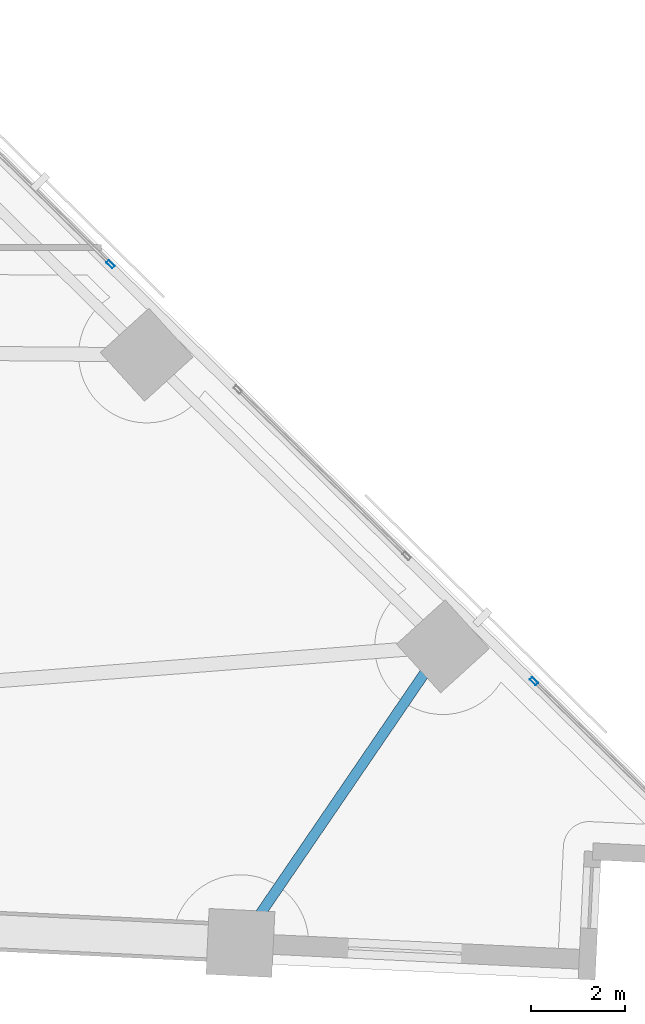
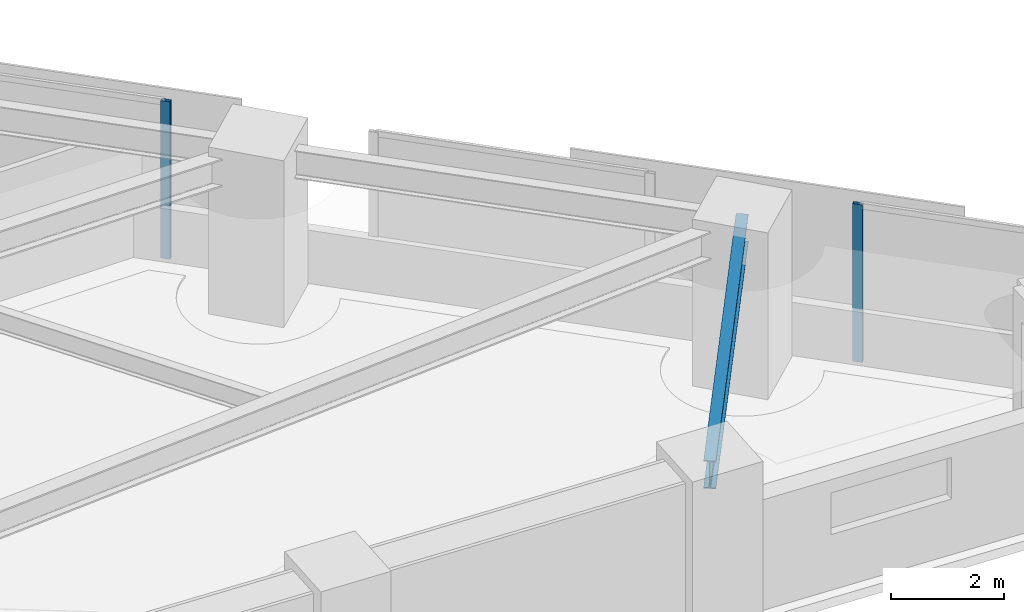
# One storey, part 4 of 17: 2 members, 1 beam, 2 elements without a shape of their own.
"""IFC4 building model written with IfcOpenShell, lengths in metres."""

from ifc_helpers import new_model, si_unit, direction, frame, origin, origin_2d, place, context, subcontext, project, spatial, hollow_rectangle, i_section, extrude, material, material_profile, profile_set, type_object, element, aggregate, save


model = new_model("IFC4")

# Units and contexts
model_context = context("Model", 3, precision=1e-05, world=origin(), true_north=direction((0.0, 1.0)))
body_context = subcontext(model_context, "Body", "Model", "MODEL_VIEW")
ifc_project = project(units=[si_unit("LENGTHUNIT", "METRE"), si_unit("AREAUNIT", "SQUARE_METRE"), si_unit("VOLUMEUNIT", "CUBIC_METRE"), si_unit("PLANEANGLEUNIT", "RADIAN"), si_unit("MASSUNIT", "GRAM", prefix="KILO")], contexts=[model_context])

# Site, building, storey
site_placement = place(None, origin())
site = spatial("IfcSite", under=ifc_project, at=site_placement, CompositionType="ELEMENT")
building_placement = place(site_placement, origin())
building = spatial("IfcBuilding", under=site, at=building_placement, Name="Narakoshi Arena Tower", CompositionType="ELEMENT")
storey_placement = place(building_placement, frame((0.0, 0.0, 41.10009765625)))
storey = spatial("IfcBuildingStorey", under=building, at=storey_placement, Name="L10", CompositionType="ELEMENT", Elevation=41.10009765625)

# Beam
ifc_material_1 = material(Name="Structural steel S355J2", Category="steel")
ifc_material_profile_1 = material_profile(ifc_material_1, i_section(OverallWidth=0.219970703125, OverallDepth=0.60009765625, WebThickness=0.011962890625, FlangeThickness=0.01904296875, FilletRadius=0.02392578125, at=origin_2d()), Name="IPE600")
ifc_profile_set_1 = profile_set([ifc_material_profile_1], Name="Structural steel S355J2")
beam_type = type_object("IfcBeamType", Name="BM-EDGE-600", PredefinedType="BEAM", material=ifc_profile_set_1)
beam_placement = place(storey_placement, frame((110.636474609375, 30.661865234375, 3.099853515625), z_axis=(0.563755333308, 0.825941840668, 0.0), x_axis=(-0.825941840668, 0.563755333308, 0.0)))
element("IfcBeam", 1, at=beam_placement, inside=storey, type_object=beam_type, Name="L10 Perimeter Edge Girder 04", PredefinedType="BEAM", context=body_context, shape_type="SweptSolid", body=[
    extrude(i_section(OverallWidth=0.219970703125, OverallDepth=0.60009765625, WebThickness=0.011962890625, FlangeThickness=0.01904296875, FilletRadius=0.02392578125, at=origin_2d()), origin(), (0.0, 0.0, 1.0), 7.637451171875),
])

# Curtain wall, member
ifc_material_2 = material(Name="Anodised bronze aluminium 6063-T6", Category="aluminium")
curtain_wall_type = type_object("IfcCurtainWallType", Name="CW-HYP-LOW", PredefinedType="NOTDEFINED", material=ifc_material_2)
curtain_wall_1_placement = place(storey_placement, origin())
curtain_wall_1 = element("IfcCurtainWall", 2, at=curtain_wall_1_placement, inside=storey, type_object=curtain_wall_type, Name="L10 Folded Hypotenuse Curtain Wall 1-1", PredefinedType="NOTDEFINED")
ifc_material_profile_2 = material_profile(ifc_material_2, hollow_rectangle(XDim=0.074951171875, YDim=0.179931640625, WallThickness=0.00390625, OuterFilletRadius=0.0048828125, at=origin_2d()), Name="MUL180x75x4")
ifc_profile_set_2 = profile_set([ifc_material_profile_2], Name="Anodised bronze aluminium 6063-T6")
member_type = type_object("IfcMemberType", Name="MEM-MUL-180", PredefinedType="MULLION", material=ifc_profile_set_2)
member_1_placement = place(storey_placement, frame((116.87744140625, 36.229248046875, 0.0), z_axis=(0.0, 0.0, 1.0), x_axis=(-0.701630192894, -0.712541277695, 0.0)))
member_1 = element("IfcMember", 3, at=member_1_placement, type_object=member_type, Name="CW-01 mullion 2", PredefinedType="MULLION", context=body_context, shape_type="SweptSolid", body=[
    extrude(hollow_rectangle(XDim=0.074951171875, YDim=0.179931640625, WallThickness=0.00390625, OuterFilletRadius=0.0048828125, at=origin_2d()), origin(), (0.0, 0.0, 1.0), 3.39990234375),
])
aggregate(curtain_wall_1, [member_1])

curtain_wall_2_placement = place(storey_placement, origin())
curtain_wall_2 = element("IfcCurtainWall", 4, at=curtain_wall_2_placement, inside=storey, type_object=curtain_wall_type, Name="L10 Folded Hypotenuse Curtain Wall 1-3", PredefinedType="NOTDEFINED")
member_2_placement = place(storey_placement, frame((107.872802734375, 45.095947265625, 0.0), z_axis=(0.0, 0.0, 1.0), x_axis=(-0.701632802488, -0.712538708053, 0.0)))
member_2 = element("IfcMember", 5, at=member_2_placement, type_object=member_type, Name="CW-01 mullion 1", PredefinedType="MULLION", context=body_context, shape_type="SweptSolid", body=[
    extrude(hollow_rectangle(XDim=0.074951171875, YDim=0.179931640625, WallThickness=0.00390625, OuterFilletRadius=0.0048828125, at=origin_2d()), origin(), (0.0, 0.0, 1.0), 3.39990234375),
])
aggregate(curtain_wall_2, [member_2])

save(model, "model.ifc")
